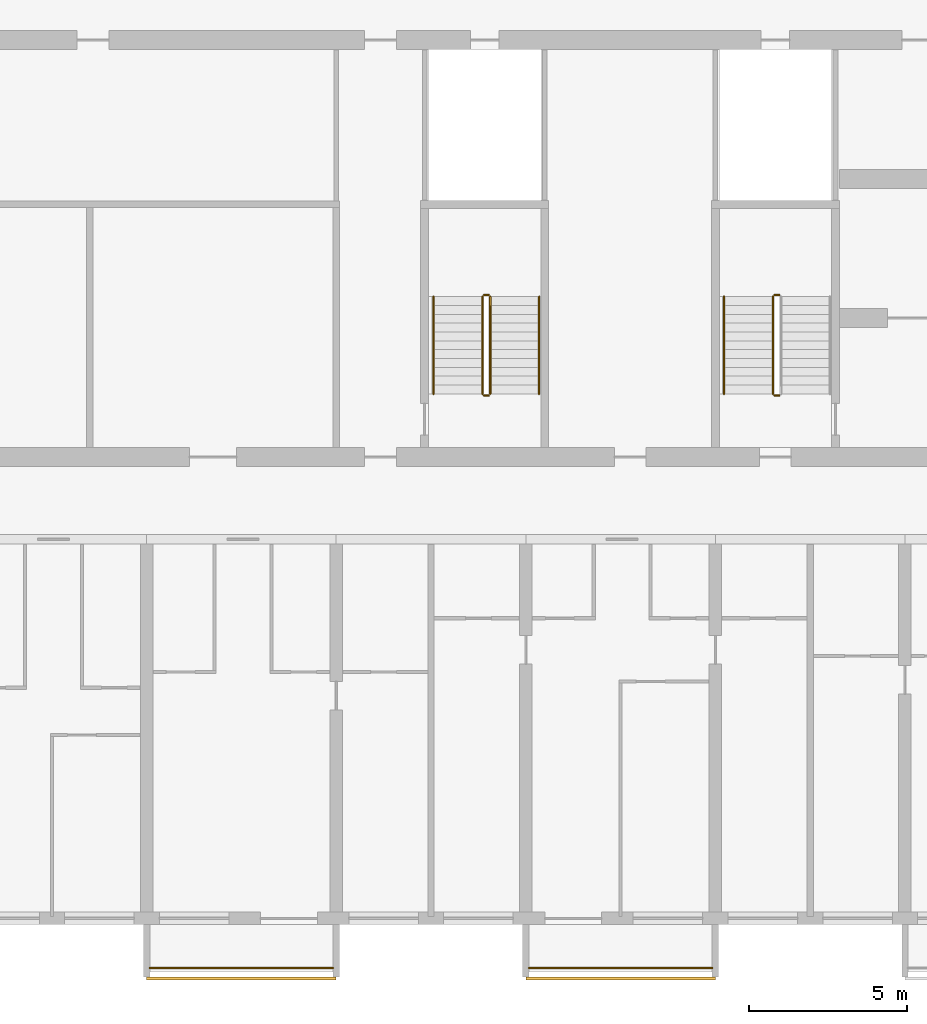
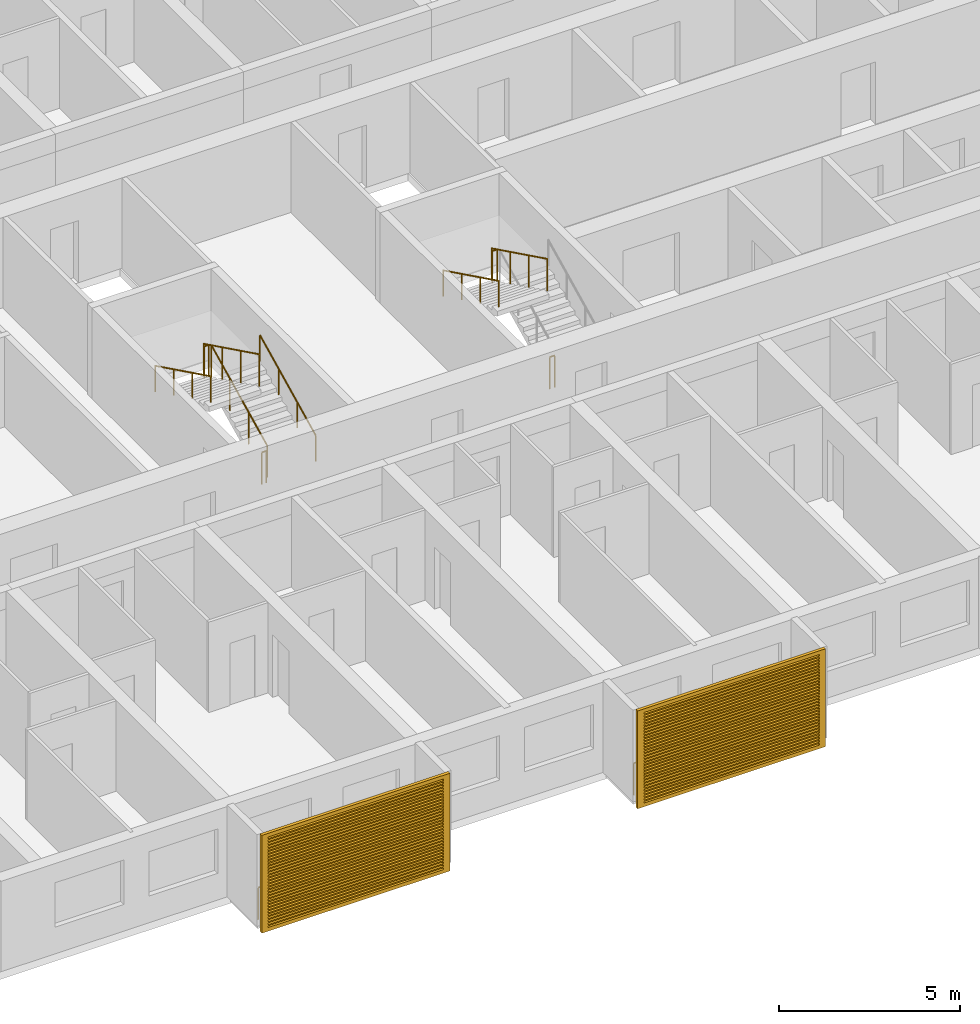
# One storey, part 19 of 38: 12 railings, 2 shading devices.
"""IFC4 building model written with IfcOpenShell, lengths in metres."""

from ifc_helpers import new_model, si_unit, direction, frame, origin, origin_2d, place, context, subcontext, project, spatial, polyline, circle, outline, extrude, source, transform, mapped, material, material_profile, profile_set, type_object, element, save


model = new_model("IFC4")

# Units and contexts
model_context = context("Model", 3, precision=1e-05, world=origin(), true_north=direction((0.0, 1.0)))
body_context = subcontext(model_context, "Body", "Model", "MODEL_VIEW")
ifc_project = project(units=[si_unit("LENGTHUNIT", "METRE"), si_unit("AREAUNIT", "SQUARE_METRE"), si_unit("VOLUMEUNIT", "CUBIC_METRE"), si_unit("PLANEANGLEUNIT", "RADIAN"), si_unit("MASSUNIT", "GRAM", prefix="KILO")], contexts=[model_context])

# Site, building, storey
site_placement = place(None, origin())
site = spatial("IfcSite", under=ifc_project, at=site_placement, CompositionType="ELEMENT")
building_placement = place(site_placement, origin())
building = spatial("IfcBuilding", under=site, at=building_placement, Name="Poui Terraces", CompositionType="ELEMENT")
storey_placement = place(building_placement, frame((0.0, 0.0, 46.5)))
storey = spatial("IfcBuildingStorey", under=building, at=storey_placement, Name="L12", CompositionType="ELEMENT", Elevation=46.5)

# Railings
ifc_material_1 = material(Name="Painted steel fretwork", Category="steel")
railing_type_1 = type_object("IfcRailingType", Name="BALCONY GUARD 1100", PredefinedType="GUARDRAIL", material=ifc_material_1)
for number, where, name in (
    (1, (12.10009765625, -1.570068359375, 0.0), "BALCONY GUARD"),
    (2, (24.10009765625, -1.570068359375, 0.0), "BALCONY GUARD"),
):
    element("IfcRailing", number, at=place(storey_placement, frame(where)), inside=storey, type_object=railing_type_1, Name=name, PredefinedType="GUARDRAIL", context=body_context, shape_type="SweptSolid", body=[
        extrude(circle(Radius=0.02392578125, at=origin_2d()), frame((0.0, 0.0, 1.076171875), z_axis=(1.0, 0.0, 0.0), x_axis=(0.0, 1.0, 0.0)), (0.0, 0.0, 1.0), 5.7998046875),
        extrude(circle(Radius=0.02099609375, at=origin_2d()), origin(), (0.0, 0.0, 1.0), 1.052001953125),
        extrude(circle(Radius=0.02099609375, at=origin_2d()), frame((0.966552734375, 0.0, 0.0)), (0.0, 0.0, 1.0), 1.052001953125),
        extrude(circle(Radius=0.02099609375, at=origin_2d()), frame((1.933349609375, 0.0, 0.0)), (0.0, 0.0, 1.0), 1.052001953125),
        extrude(circle(Radius=0.02099609375, at=origin_2d()), frame((2.89990234375, 0.0, 0.0)), (0.0, 0.0, 1.0), 1.052001953125),
        extrude(circle(Radius=0.02099609375, at=origin_2d()), frame((3.866455078125, 0.0, 0.0)), (0.0, 0.0, 1.0), 1.052001953125),
        extrude(circle(Radius=0.02099609375, at=origin_2d()), frame((4.833251953125, 0.0, 0.0)), (0.0, 0.0, 1.0), 1.052001953125),
        extrude(circle(Radius=0.02099609375, at=origin_2d()), frame((5.7998046875, 0.0, 0.0)), (0.0, 0.0, 1.0), 1.052001953125),
    ])
ifc_material_2 = material(Name="Galvanised steel balustrade", Category="steel")
railing_type_2 = type_object("IfcRailingType", Name="STAIR GUARD 1100", PredefinedType="GUARDRAIL", material=ifc_material_2)
railing_1_placement = place(storey_placement, frame((32.02490234375, 19.72998046875, 1.64990234375)))
element("IfcRailing", 3, at=railing_1_placement, inside=storey, type_object=railing_type_2, Name="L12 ST-CW stair guard 2", PredefinedType="GUARDRAIL", context=body_context, shape_type="SweptSolid", body=[
    extrude(circle(Radius=0.02392578125, at=origin_2d()), frame((0.0, 0.0, 1.076171875), z_axis=(-1.0, 0.0, 0.0), x_axis=(0.0, -1.0, 0.0)), (0.0, 0.0, 1.0), 0.14990234375),
    extrude(circle(Radius=0.02099609375, at=origin_2d()), origin(), (0.0, 0.0, 1.0), 1.052001953125),
    extrude(circle(Radius=0.02099609375, at=origin_2d()), frame((-0.14990234375, 0.0, 0.0)), (0.0, 0.0, 1.0), 1.052001953125),
])
railing_2_placement = place(storey_placement, frame((31.824951171875, 19.679931640625, 1.78759765625)))
element("IfcRailing", 4, at=railing_2_placement, inside=storey, type_object=railing_type_2, Name="L12 ST-CW stair guard 3", PredefinedType="GUARDRAIL", context=body_context, shape_type="SweptSolid", body=[
    extrude(circle(Radius=0.02392578125, at=origin_2d()), frame((0.0, 0.0, 1.076171875), z_axis=(0.0, -0.897606190399, 0.440798283751), x_axis=(1.0, 0.0, 0.0)), (0.0, 0.0, 1.0), 3.43115234375),
    extrude(circle(Radius=0.02099609375, at=origin_2d()), origin(), (0.0, 0.0, 1.0), 1.052001953125),
    extrude(circle(Radius=0.02099609375, at=origin_2d()), frame((0.0, -1.026611328125, 0.504150390625)), (0.0, 0.0, 1.0), 1.052001953125),
    extrude(circle(Radius=0.02099609375, at=origin_2d()), frame((0.0, -2.05322265625, 1.00830078125)), (0.0, 0.0, 1.0), 1.052001953125),
    extrude(circle(Radius=0.02099609375, at=origin_2d()), frame((0.0, -3.079833984375, 1.512451171875)), (0.0, 0.0, 1.0), 1.052001953125),
])
railing_3_placement = place(storey_placement, frame((32.02490234375, 16.550048828125, 0.0)))
element("IfcRailing", 5, at=railing_3_placement, inside=storey, type_object=railing_type_2, Name="L12 ST-CW stair guard 4", PredefinedType="GUARDRAIL", context=body_context, shape_type="SweptSolid", body=[
    extrude(circle(Radius=0.02392578125, at=origin_2d()), frame((0.0, 0.0, 1.076171875), z_axis=(-1.0, 0.0, 0.0), x_axis=(0.0, -1.0, 0.0)), (0.0, 0.0, 1.0), 0.14990234375),
    extrude(circle(Radius=0.02099609375, at=origin_2d()), origin(), (0.0, 0.0, 1.0), 1.052001953125),
    extrude(circle(Radius=0.02099609375, at=origin_2d()), frame((-0.14990234375, 0.0, 0.0)), (0.0, 0.0, 1.0), 1.052001953125),
])
railing_4_placement = place(storey_placement, frame((22.875, 16.60009765625, 0.137451171875)))
element("IfcRailing", 6, at=railing_4_placement, inside=storey, type_object=railing_type_2, Name="L12 ST-W stair guard 1", PredefinedType="GUARDRAIL", context=body_context, shape_type="SweptSolid", body=[
    extrude(circle(Radius=0.02392578125, at=origin_2d()), frame((0.0, 0.0, 1.076171875), z_axis=(0.0, 0.897606190399, 0.440798283751), x_axis=(-1.0, 0.0, 0.0)), (0.0, 0.0, 1.0), 3.43115234375),
    extrude(circle(Radius=0.02099609375, at=origin_2d()), origin(), (0.0, 0.0, 1.0), 1.052001953125),
    extrude(circle(Radius=0.02099609375, at=origin_2d()), frame((0.0, 1.026611328125, 0.504150390625)), (0.0, 0.0, 1.0), 1.052001953125),
    extrude(circle(Radius=0.02099609375, at=origin_2d()), frame((0.0, 2.05322265625, 1.00830078125)), (0.0, 0.0, 1.0), 1.052001953125),
    extrude(circle(Radius=0.02099609375, at=origin_2d()), frame((0.0, 3.079833984375, 1.512451171875)), (0.0, 0.0, 1.0), 1.052001953125),
])
railing_5_placement = place(storey_placement, frame((22.824951171875, 19.72998046875, 1.64990234375)))
element("IfcRailing", 7, at=railing_5_placement, inside=storey, type_object=railing_type_2, Name="L12 ST-W stair guard 2", PredefinedType="GUARDRAIL", context=body_context, shape_type="SweptSolid", body=[
    extrude(circle(Radius=0.02392578125, at=origin_2d()), frame((0.0, 0.0, 1.076171875), z_axis=(-1.0, 0.0, 0.0), x_axis=(0.0, -1.0, 0.0)), (0.0, 0.0, 1.0), 0.14990234375),
    extrude(circle(Radius=0.02099609375, at=origin_2d()), origin(), (0.0, 0.0, 1.0), 1.052001953125),
    extrude(circle(Radius=0.02099609375, at=origin_2d()), frame((-0.14990234375, 0.0, 0.0)), (0.0, 0.0, 1.0), 1.052001953125),
])
railing_6_placement = place(storey_placement, frame((22.625, 19.679931640625, 1.78759765625)))
element("IfcRailing", 8, at=railing_6_placement, inside=storey, type_object=railing_type_2, Name="L12 ST-W stair guard 3", PredefinedType="GUARDRAIL", context=body_context, shape_type="SweptSolid", body=[
    extrude(circle(Radius=0.02392578125, at=origin_2d()), frame((0.0, 0.0, 1.076171875), z_axis=(0.0, -0.897606190399, 0.440798283751), x_axis=(1.0, 0.0, 0.0)), (0.0, 0.0, 1.0), 3.43115234375),
    extrude(circle(Radius=0.02099609375, at=origin_2d()), origin(), (0.0, 0.0, 1.0), 1.052001953125),
    extrude(circle(Radius=0.02099609375, at=origin_2d()), frame((0.0, -1.026611328125, 0.504150390625)), (0.0, 0.0, 1.0), 1.052001953125),
    extrude(circle(Radius=0.02099609375, at=origin_2d()), frame((0.0, -2.05322265625, 1.00830078125)), (0.0, 0.0, 1.0), 1.052001953125),
    extrude(circle(Radius=0.02099609375, at=origin_2d()), frame((0.0, -3.079833984375, 1.512451171875)), (0.0, 0.0, 1.0), 1.052001953125),
])
railing_7_placement = place(storey_placement, frame((22.824951171875, 16.550048828125, 0.0)))
element("IfcRailing", 9, at=railing_7_placement, inside=storey, type_object=railing_type_2, Name="L12 ST-W stair guard 4", PredefinedType="GUARDRAIL", context=body_context, shape_type="SweptSolid", body=[
    extrude(circle(Radius=0.02392578125, at=origin_2d()), frame((0.0, 0.0, 1.076171875), z_axis=(-1.0, 0.0, 0.0), x_axis=(0.0, -1.0, 0.0)), (0.0, 0.0, 1.0), 0.14990234375),
    extrude(circle(Radius=0.02099609375, at=origin_2d()), origin(), (0.0, 0.0, 1.0), 1.052001953125),
    extrude(circle(Radius=0.02099609375, at=origin_2d()), frame((-0.14990234375, 0.0, 0.0)), (0.0, 0.0, 1.0), 1.052001953125),
])
ifc_material_3 = material(Name="Stainless steel handrail", Category="steel")
railing_type_3 = type_object("IfcRailingType", Name="STAIR HANDRAIL 900", PredefinedType="HANDRAIL", material=ifc_material_3)
railing_8_placement = place(storey_placement, frame((30.27490234375, 19.679931640625, 1.78759765625)))
element("IfcRailing", 10, at=railing_8_placement, inside=storey, type_object=railing_type_3, Name="L12 ST-CW stair handrail 2", PredefinedType="HANDRAIL", context=body_context, shape_type="SweptSolid", body=[
    extrude(circle(Radius=0.02392578125, at=origin_2d()), frame((0.0, 0.0, 0.8759765625), z_axis=(0.0, -0.897606190399, 0.440798283751), x_axis=(1.0, 0.0, 0.0)), (0.0, 0.0, 1.0), 3.43115234375),
    extrude(circle(Radius=0.02099609375, at=origin_2d()), origin(), (0.0, 0.0, 1.0), 0.851806640625),
    extrude(circle(Radius=0.02099609375, at=origin_2d()), frame((0.0, -1.026611328125, 0.504150390625)), (0.0, 0.0, 1.0), 0.851806640625),
    extrude(circle(Radius=0.02099609375, at=origin_2d()), frame((0.0, -2.05322265625, 1.00830078125)), (0.0, 0.0, 1.0), 0.851806640625),
    extrude(circle(Radius=0.02099609375, at=origin_2d()), frame((0.0, -3.079833984375, 1.512451171875)), (0.0, 0.0, 1.0), 0.851806640625),
])
railing_9_placement = place(storey_placement, frame((24.425048828125, 16.60009765625, 0.137451171875)))
element("IfcRailing", 11, at=railing_9_placement, inside=storey, type_object=railing_type_3, Name="L12 ST-W stair handrail 1", PredefinedType="HANDRAIL", context=body_context, shape_type="SweptSolid", body=[
    extrude(circle(Radius=0.02392578125, at=origin_2d()), frame((0.0, 0.0, 0.8759765625), z_axis=(0.0, 0.897606190399, 0.440798283751), x_axis=(-1.0, 0.0, 0.0)), (0.0, 0.0, 1.0), 3.43115234375),
    extrude(circle(Radius=0.02099609375, at=origin_2d()), origin(), (0.0, 0.0, 1.0), 0.851806640625),
    extrude(circle(Radius=0.02099609375, at=origin_2d()), frame((0.0, 1.026611328125, 0.504150390625)), (0.0, 0.0, 1.0), 0.851806640625),
    extrude(circle(Radius=0.02099609375, at=origin_2d()), frame((0.0, 2.05322265625, 1.00830078125)), (0.0, 0.0, 1.0), 0.851806640625),
    extrude(circle(Radius=0.02099609375, at=origin_2d()), frame((0.0, 3.079833984375, 1.512451171875)), (0.0, 0.0, 1.0), 0.851806640625),
])
railing_10_placement = place(storey_placement, frame((21.074951171875, 19.679931640625, 1.78759765625)))
element("IfcRailing", 12, at=railing_10_placement, inside=storey, type_object=railing_type_3, Name="L12 ST-W stair handrail 2", PredefinedType="HANDRAIL", context=body_context, shape_type="SweptSolid", body=[
    extrude(circle(Radius=0.02392578125, at=origin_2d()), frame((0.0, 0.0, 0.8759765625), z_axis=(0.0, -0.897606190399, 0.440798283751), x_axis=(1.0, 0.0, 0.0)), (0.0, 0.0, 1.0), 3.43115234375),
    extrude(circle(Radius=0.02099609375, at=origin_2d()), origin(), (0.0, 0.0, 1.0), 0.851806640625),
    extrude(circle(Radius=0.02099609375, at=origin_2d()), frame((0.0, -1.026611328125, 0.504150390625)), (0.0, 0.0, 1.0), 0.851806640625),
    extrude(circle(Radius=0.02099609375, at=origin_2d()), frame((0.0, -2.05322265625, 1.00830078125)), (0.0, 0.0, 1.0), 0.851806640625),
    extrude(circle(Radius=0.02099609375, at=origin_2d()), frame((0.0, -3.079833984375, 1.512451171875)), (0.0, 0.0, 1.0), 0.851806640625),
])

# Shading devices
ifc_material_4 = material(Name="Aluminium louvre", Category="aluminium")
ifc_material_profile = material_profile(ifc_material_4, outline(polyline([(-3.0, -1.64990234375), (3.0, -1.64990234375), (3.0, 1.64990234375), (-3.0, 1.64990234375), (-3.0, -1.64990234375)]), holes=[polyline([(-2.800048828125, -1.530029296875), (2.800048828125, -1.530029296875), (2.800048828125, -1.469970703125), (-2.800048828125, -1.469970703125), (-2.800048828125, -1.530029296875)]), polyline([(-2.800048828125, -1.429931640625), (2.800048828125, -1.429931640625), (2.800048828125, -1.3701171875), (-2.800048828125, -1.3701171875), (-2.800048828125, -1.429931640625)]), polyline([(-2.800048828125, -1.330078125), (2.800048828125, -1.330078125), (2.800048828125, -1.27001953125), (-2.800048828125, -1.27001953125), (-2.800048828125, -1.330078125)]), polyline([(-2.800048828125, -1.22998046875), (2.800048828125, -1.22998046875), (2.800048828125, -1.169921875), (-2.800048828125, -1.169921875), (-2.800048828125, -1.22998046875)]), polyline([(-2.800048828125, -1.1298828125), (2.800048828125, -1.1298828125), (2.800048828125, -1.070068359375), (-2.800048828125, -1.070068359375), (-2.800048828125, -1.1298828125)]), polyline([(-2.800048828125, -1.030029296875), (2.800048828125, -1.030029296875), (2.800048828125, -0.969970703125), (-2.800048828125, -0.969970703125), (-2.800048828125, -1.030029296875)]), polyline([(-2.800048828125, -0.929931640625), (2.800048828125, -0.929931640625), (2.800048828125, -0.8701171875), (-2.800048828125, -0.8701171875), (-2.800048828125, -0.929931640625)]), polyline([(-2.800048828125, -0.830078125), (2.800048828125, -0.830078125), (2.800048828125, -0.77001953125), (-2.800048828125, -0.77001953125), (-2.800048828125, -0.830078125)]), polyline([(-2.800048828125, -0.72998046875), (2.800048828125, -0.72998046875), (2.800048828125, -0.669921875), (-2.800048828125, -0.669921875), (-2.800048828125, -0.72998046875)]), polyline([(-2.800048828125, -0.6298828125), (2.800048828125, -0.6298828125), (2.800048828125, -0.570068359375), (-2.800048828125, -0.570068359375), (-2.800048828125, -0.6298828125)]), polyline([(-2.800048828125, -0.530029296875), (2.800048828125, -0.530029296875), (2.800048828125, -0.469970703125), (-2.800048828125, -0.469970703125), (-2.800048828125, -0.530029296875)]), polyline([(-2.800048828125, -0.429931640625), (2.800048828125, -0.429931640625), (2.800048828125, -0.3701171875), (-2.800048828125, -0.3701171875), (-2.800048828125, -0.429931640625)]), polyline([(-2.800048828125, -0.330078125), (2.800048828125, -0.330078125), (2.800048828125, -0.27001953125), (-2.800048828125, -0.27001953125), (-2.800048828125, -0.330078125)]), polyline([(-2.800048828125, -0.22998046875), (2.800048828125, -0.22998046875), (2.800048828125, -0.169921875), (-2.800048828125, -0.169921875), (-2.800048828125, -0.22998046875)]), polyline([(-2.800048828125, -0.1298828125), (2.800048828125, -0.1298828125), (2.800048828125, -0.070068359375), (-2.800048828125, -0.070068359375), (-2.800048828125, -0.1298828125)]), polyline([(-2.800048828125, -0.030029296875), (2.800048828125, -0.030029296875), (2.800048828125, 0.030029296875), (-2.800048828125, 0.030029296875), (-2.800048828125, -0.030029296875)]), polyline([(-2.800048828125, 0.070068359375), (2.800048828125, 0.070068359375), (2.800048828125, 0.1298828125), (-2.800048828125, 0.1298828125), (-2.800048828125, 0.070068359375)]), polyline([(-2.800048828125, 0.169921875), (2.800048828125, 0.169921875), (2.800048828125, 0.22998046875), (-2.800048828125, 0.22998046875), (-2.800048828125, 0.169921875)]), polyline([(-2.800048828125, 0.27001953125), (2.800048828125, 0.27001953125), (2.800048828125, 0.330078125), (-2.800048828125, 0.330078125), (-2.800048828125, 0.27001953125)]), polyline([(-2.800048828125, 0.3701171875), (2.800048828125, 0.3701171875), (2.800048828125, 0.429931640625), (-2.800048828125, 0.429931640625), (-2.800048828125, 0.3701171875)]), polyline([(-2.800048828125, 0.469970703125), (2.800048828125, 0.469970703125), (2.800048828125, 0.530029296875), (-2.800048828125, 0.530029296875), (-2.800048828125, 0.469970703125)]), polyline([(-2.800048828125, 0.570068359375), (2.800048828125, 0.570068359375), (2.800048828125, 0.6298828125), (-2.800048828125, 0.6298828125), (-2.800048828125, 0.570068359375)]), polyline([(-2.800048828125, 0.669921875), (2.800048828125, 0.669921875), (2.800048828125, 0.72998046875), (-2.800048828125, 0.72998046875), (-2.800048828125, 0.669921875)]), polyline([(-2.800048828125, 0.77001953125), (2.800048828125, 0.77001953125), (2.800048828125, 0.830078125), (-2.800048828125, 0.830078125), (-2.800048828125, 0.77001953125)]), polyline([(-2.800048828125, 0.8701171875), (2.800048828125, 0.8701171875), (2.800048828125, 0.929931640625), (-2.800048828125, 0.929931640625), (-2.800048828125, 0.8701171875)]), polyline([(-2.800048828125, 0.969970703125), (2.800048828125, 0.969970703125), (2.800048828125, 1.030029296875), (-2.800048828125, 1.030029296875), (-2.800048828125, 0.969970703125)]), polyline([(-2.800048828125, 1.070068359375), (2.800048828125, 1.070068359375), (2.800048828125, 1.1298828125), (-2.800048828125, 1.1298828125), (-2.800048828125, 1.070068359375)]), polyline([(-2.800048828125, 1.169921875), (2.800048828125, 1.169921875), (2.800048828125, 1.22998046875), (-2.800048828125, 1.22998046875), (-2.800048828125, 1.169921875)]), polyline([(-2.800048828125, 1.27001953125), (2.800048828125, 1.27001953125), (2.800048828125, 1.330078125), (-2.800048828125, 1.330078125), (-2.800048828125, 1.27001953125)]), polyline([(-2.800048828125, 1.3701171875), (2.800048828125, 1.3701171875), (2.800048828125, 1.429931640625), (-2.800048828125, 1.429931640625), (-2.800048828125, 1.3701171875)]), polyline([(-2.800048828125, 1.469970703125), (2.800048828125, 1.469970703125), (2.800048828125, 1.530029296875), (-2.800048828125, 1.530029296875), (-2.800048828125, 1.469970703125)])]), Name="JALOUSIE LOUVRE SHUTTER 6000X3300")
ifc_profile_set = profile_set([ifc_material_profile], Name="Aluminium louvre")
shading_device_type = type_object("IfcShadingDeviceType", Name="JALOUSIE LOUVRE SHUTTER 6000X3300", PredefinedType="JALOUSIE", material=ifc_profile_set)
shared_shape = source(origin(), body_context, "Body", "SweptSolid", [
    extrude(outline(polyline([(-3.0, -1.64990234375), (3.0, -1.64990234375), (3.0, 1.64990234375), (-3.0, 1.64990234375), (-3.0, -1.64990234375)]), holes=[polyline([(-2.800048828125, -1.530029296875), (2.800048828125, -1.530029296875), (2.800048828125, -1.469970703125), (-2.800048828125, -1.469970703125), (-2.800048828125, -1.530029296875)]), polyline([(-2.800048828125, -1.429931640625), (2.800048828125, -1.429931640625), (2.800048828125, -1.3701171875), (-2.800048828125, -1.3701171875), (-2.800048828125, -1.429931640625)]), polyline([(-2.800048828125, -1.330078125), (2.800048828125, -1.330078125), (2.800048828125, -1.27001953125), (-2.800048828125, -1.27001953125), (-2.800048828125, -1.330078125)]), polyline([(-2.800048828125, -1.22998046875), (2.800048828125, -1.22998046875), (2.800048828125, -1.169921875), (-2.800048828125, -1.169921875), (-2.800048828125, -1.22998046875)]), polyline([(-2.800048828125, -1.1298828125), (2.800048828125, -1.1298828125), (2.800048828125, -1.070068359375), (-2.800048828125, -1.070068359375), (-2.800048828125, -1.1298828125)]), polyline([(-2.800048828125, -1.030029296875), (2.800048828125, -1.030029296875), (2.800048828125, -0.969970703125), (-2.800048828125, -0.969970703125), (-2.800048828125, -1.030029296875)]), polyline([(-2.800048828125, -0.929931640625), (2.800048828125, -0.929931640625), (2.800048828125, -0.8701171875), (-2.800048828125, -0.8701171875), (-2.800048828125, -0.929931640625)]), polyline([(-2.800048828125, -0.830078125), (2.800048828125, -0.830078125), (2.800048828125, -0.77001953125), (-2.800048828125, -0.77001953125), (-2.800048828125, -0.830078125)]), polyline([(-2.800048828125, -0.72998046875), (2.800048828125, -0.72998046875), (2.800048828125, -0.669921875), (-2.800048828125, -0.669921875), (-2.800048828125, -0.72998046875)]), polyline([(-2.800048828125, -0.6298828125), (2.800048828125, -0.6298828125), (2.800048828125, -0.570068359375), (-2.800048828125, -0.570068359375), (-2.800048828125, -0.6298828125)]), polyline([(-2.800048828125, -0.530029296875), (2.800048828125, -0.530029296875), (2.800048828125, -0.469970703125), (-2.800048828125, -0.469970703125), (-2.800048828125, -0.530029296875)]), polyline([(-2.800048828125, -0.429931640625), (2.800048828125, -0.429931640625), (2.800048828125, -0.3701171875), (-2.800048828125, -0.3701171875), (-2.800048828125, -0.429931640625)]), polyline([(-2.800048828125, -0.330078125), (2.800048828125, -0.330078125), (2.800048828125, -0.27001953125), (-2.800048828125, -0.27001953125), (-2.800048828125, -0.330078125)]), polyline([(-2.800048828125, -0.22998046875), (2.800048828125, -0.22998046875), (2.800048828125, -0.169921875), (-2.800048828125, -0.169921875), (-2.800048828125, -0.22998046875)]), polyline([(-2.800048828125, -0.1298828125), (2.800048828125, -0.1298828125), (2.800048828125, -0.070068359375), (-2.800048828125, -0.070068359375), (-2.800048828125, -0.1298828125)]), polyline([(-2.800048828125, -0.030029296875), (2.800048828125, -0.030029296875), (2.800048828125, 0.030029296875), (-2.800048828125, 0.030029296875), (-2.800048828125, -0.030029296875)]), polyline([(-2.800048828125, 0.070068359375), (2.800048828125, 0.070068359375), (2.800048828125, 0.1298828125), (-2.800048828125, 0.1298828125), (-2.800048828125, 0.070068359375)]), polyline([(-2.800048828125, 0.169921875), (2.800048828125, 0.169921875), (2.800048828125, 0.22998046875), (-2.800048828125, 0.22998046875), (-2.800048828125, 0.169921875)]), polyline([(-2.800048828125, 0.27001953125), (2.800048828125, 0.27001953125), (2.800048828125, 0.330078125), (-2.800048828125, 0.330078125), (-2.800048828125, 0.27001953125)]), polyline([(-2.800048828125, 0.3701171875), (2.800048828125, 0.3701171875), (2.800048828125, 0.429931640625), (-2.800048828125, 0.429931640625), (-2.800048828125, 0.3701171875)]), polyline([(-2.800048828125, 0.469970703125), (2.800048828125, 0.469970703125), (2.800048828125, 0.530029296875), (-2.800048828125, 0.530029296875), (-2.800048828125, 0.469970703125)]), polyline([(-2.800048828125, 0.570068359375), (2.800048828125, 0.570068359375), (2.800048828125, 0.6298828125), (-2.800048828125, 0.6298828125), (-2.800048828125, 0.570068359375)]), polyline([(-2.800048828125, 0.669921875), (2.800048828125, 0.669921875), (2.800048828125, 0.72998046875), (-2.800048828125, 0.72998046875), (-2.800048828125, 0.669921875)]), polyline([(-2.800048828125, 0.77001953125), (2.800048828125, 0.77001953125), (2.800048828125, 0.830078125), (-2.800048828125, 0.830078125), (-2.800048828125, 0.77001953125)]), polyline([(-2.800048828125, 0.8701171875), (2.800048828125, 0.8701171875), (2.800048828125, 0.929931640625), (-2.800048828125, 0.929931640625), (-2.800048828125, 0.8701171875)]), polyline([(-2.800048828125, 0.969970703125), (2.800048828125, 0.969970703125), (2.800048828125, 1.030029296875), (-2.800048828125, 1.030029296875), (-2.800048828125, 0.969970703125)]), polyline([(-2.800048828125, 1.070068359375), (2.800048828125, 1.070068359375), (2.800048828125, 1.1298828125), (-2.800048828125, 1.1298828125), (-2.800048828125, 1.070068359375)]), polyline([(-2.800048828125, 1.169921875), (2.800048828125, 1.169921875), (2.800048828125, 1.22998046875), (-2.800048828125, 1.22998046875), (-2.800048828125, 1.169921875)]), polyline([(-2.800048828125, 1.27001953125), (2.800048828125, 1.27001953125), (2.800048828125, 1.330078125), (-2.800048828125, 1.330078125), (-2.800048828125, 1.27001953125)]), polyline([(-2.800048828125, 1.3701171875), (2.800048828125, 1.3701171875), (2.800048828125, 1.429931640625), (-2.800048828125, 1.429931640625), (-2.800048828125, 1.3701171875)]), polyline([(-2.800048828125, 1.469970703125), (2.800048828125, 1.469970703125), (2.800048828125, 1.530029296875), (-2.800048828125, 1.530029296875), (-2.800048828125, 1.469970703125)])]), origin(), (0.0, 0.0, 1.0), 0.099853515625),
])
for number, where, z_axis, x_axis, name in (
    (13, (15.0, -1.85009765625, 1.449951171875), (0.0, -1.0, 0.0), (1.0, 0.0, 0.0), "JALOUSIE LOUVRE SHUTTER"),
    (14, (27.0, -1.85009765625, 1.449951171875), (0.0, -1.0, 0.0), (1.0, 0.0, 0.0), "JALOUSIE LOUVRE SHUTTER"),
):
    element("IfcShadingDevice", number, at=place(storey_placement, frame(where, z_axis=z_axis, x_axis=x_axis)), inside=storey, type_object=shading_device_type, Name=name, PredefinedType="JALOUSIE", context=body_context, shape_type="MappedRepresentation", body=[
        mapped(shared_shape, transform((0.0, 0.0, 0.0))),
    ])

save(model, "model.ifc")
